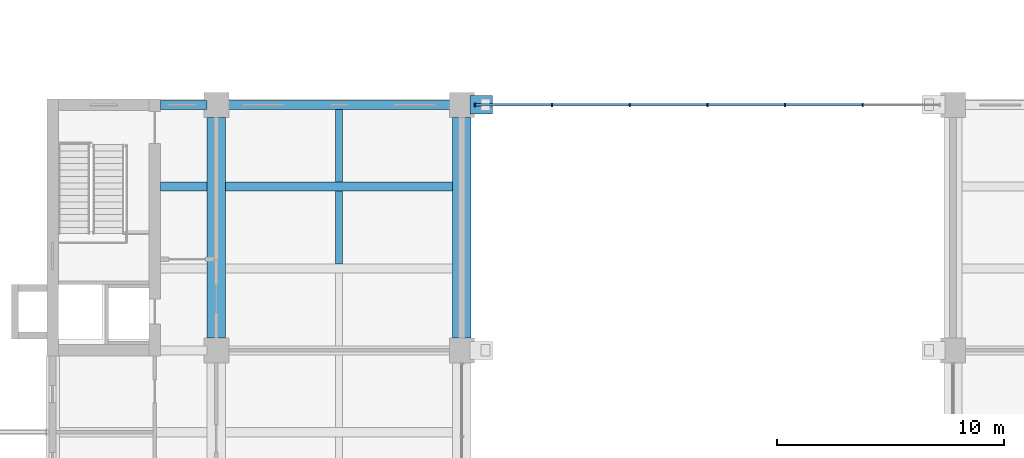
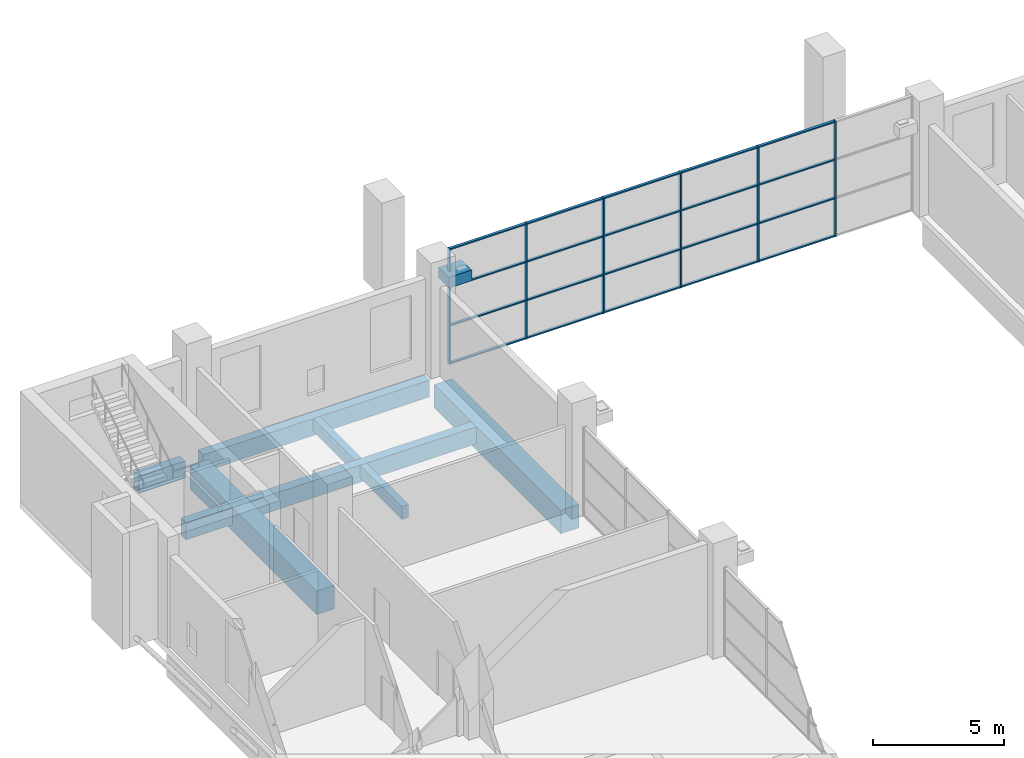
# One storey, part 11 of 38: 26 members, 9 beams, 1 element without a shape of its own.
"""IFC4 building model written with IfcOpenShell, lengths in metres."""

from ifc_helpers import new_model, si_unit, direction, frame, origin, origin_2d, place, context, subcontext, project, spatial, rectangle, extrude, material, layer, layer_set, material_profile, profile_set, type_object, element, aggregate, save


model = new_model("IFC4")

# Units and contexts
model_context = context("Model", 3, precision=1e-05, world=origin(), true_north=direction((0.0, 1.0)))
body_context = subcontext(model_context, "Body", "Model", "MODEL_VIEW")
ifc_project = project(units=[si_unit("LENGTHUNIT", "METRE"), si_unit("AREAUNIT", "SQUARE_METRE"), si_unit("VOLUMEUNIT", "CUBIC_METRE"), si_unit("PLANEANGLEUNIT", "RADIAN"), si_unit("MASSUNIT", "GRAM", prefix="KILO")], contexts=[model_context])

# Site, building, storey
site_placement = place(None, origin())
site = spatial("IfcSite", under=ifc_project, at=site_placement, CompositionType="ELEMENT")
building_placement = place(site_placement, origin())
building = spatial("IfcBuilding", under=site, at=building_placement, Name="Basin Gate Institute", CompositionType="ELEMENT")
storey_placement = place(building_placement, frame((0.0, 0.0, 16.800048828125)))
storey = spatial("IfcBuildingStorey", under=building, at=storey_placement, Name="L03", CompositionType="ELEMENT", Elevation=16.800048828125)

# Curtain wall, members
ifc_material_1 = material(Name="Aluminium and glass curtain wall", Category="aluminium")
ifc_layer = layer(ifc_material_1, 0.14990234375)
ifc_layer_set = layer_set([ifc_layer], Name="Atrium curtain wall CW81")
curtain_wall_type = type_object("IfcCurtainWallType", Name="Atrium curtain wall CW81", PredefinedType="NOTDEFINED", material=ifc_layer_set)
curtain_wall_placement = place(storey_placement, origin())
curtain_wall = element("IfcCurtainWall", 1, at=curtain_wall_placement, inside=storey, type_object=curtain_wall_type, material=ifc_layer_set, Name="Atrium end screen N L03", PredefinedType="NOTDEFINED")
ifc_material_2 = material(Name="Aluminium mullion", Category="aluminium")
ifc_material_profile_1 = material_profile(ifc_material_2, rectangle(XDim=0.159912109375, YDim=0.06005859375, at=origin_2d()), Name="Atrium mullion MU81 160 x 60")
ifc_profile_set_1 = profile_set([ifc_material_profile_1], Name="Aluminium mullion")
member_type_1 = type_object("IfcMemberType", Name="Atrium mullion MU81", PredefinedType="MULLION", material=ifc_profile_set_1)
member_1_placement = place(storey_placement, frame((79.780029296875, 99.89990234375, 0.0), z_axis=(0.0, 0.0, 1.0), x_axis=(0.0, 1.0, 0.0)))
member_1 = element("IfcMember", 2, at=member_1_placement, type_object=member_type_1, material=ifc_profile_set_1, Name="CW81 mullion 1", PredefinedType="MULLION", context=body_context, shape_type="SweptSolid", body=[
    extrude(rectangle(XDim=0.159912109375, YDim=0.06005859375, at=origin_2d()), origin(), (0.0, 0.0, 1.0), 5.39990234375),
])
member_2_placement = place(storey_placement, frame((83.166748046875, 99.89990234375, 0.0), z_axis=(0.0, 0.0, 1.0), x_axis=(0.0, 1.0, 0.0)))
member_2 = element("IfcMember", 3, at=member_2_placement, type_object=member_type_1, material=ifc_profile_set_1, Name="CW81 mullion 2", PredefinedType="MULLION", context=body_context, shape_type="SweptSolid", body=[
    extrude(rectangle(XDim=0.159912109375, YDim=0.06005859375, at=origin_2d()), origin(), (0.0, 0.0, 1.0), 5.39990234375),
])
member_3_placement = place(storey_placement, frame((86.583251953125, 99.89990234375, 0.0), z_axis=(0.0, 0.0, 1.0), x_axis=(0.0, 1.0, 0.0)))
member_3 = element("IfcMember", 4, at=member_3_placement, type_object=member_type_1, material=ifc_profile_set_1, Name="CW81 mullion 3", PredefinedType="MULLION", context=body_context, shape_type="SweptSolid", body=[
    extrude(rectangle(XDim=0.159912109375, YDim=0.06005859375, at=origin_2d()), origin(), (0.0, 0.0, 1.0), 5.39990234375),
])
member_4_placement = place(storey_placement, frame((90.0, 99.89990234375, 0.0), z_axis=(0.0, 0.0, 1.0), x_axis=(0.0, 1.0, 0.0)))
member_4 = element("IfcMember", 5, at=member_4_placement, type_object=member_type_1, material=ifc_profile_set_1, Name="CW81 mullion 4", PredefinedType="MULLION", context=body_context, shape_type="SweptSolid", body=[
    extrude(rectangle(XDim=0.159912109375, YDim=0.06005859375, at=origin_2d()), origin(), (0.0, 0.0, 1.0), 5.39990234375),
])
member_5_placement = place(storey_placement, frame((93.416748046875, 99.89990234375, 0.0), z_axis=(0.0, 0.0, 1.0), x_axis=(0.0, 1.0, 0.0)))
member_5 = element("IfcMember", 6, at=member_5_placement, type_object=member_type_1, material=ifc_profile_set_1, Name="CW81 mullion 5", PredefinedType="MULLION", context=body_context, shape_type="SweptSolid", body=[
    extrude(rectangle(XDim=0.159912109375, YDim=0.06005859375, at=origin_2d()), origin(), (0.0, 0.0, 1.0), 5.39990234375),
])
member_6_placement = place(storey_placement, frame((96.833251953125, 99.89990234375, 0.0), z_axis=(0.0, 0.0, 1.0), x_axis=(0.0, 1.0, 0.0)))
member_6 = element("IfcMember", 7, at=member_6_placement, type_object=member_type_1, material=ifc_profile_set_1, Name="CW81 mullion 6", PredefinedType="MULLION", context=body_context, shape_type="SweptSolid", body=[
    extrude(rectangle(XDim=0.159912109375, YDim=0.06005859375, at=origin_2d()), origin(), (0.0, 0.0, 1.0), 5.39990234375),
])
ifc_material_3 = material(Name="Aluminium transom", Category="aluminium")
ifc_material_profile_2 = material_profile(ifc_material_3, rectangle(XDim=0.1201171875, YDim=0.06005859375, at=origin_2d()), Name="Atrium transom TR81 120 x 60")
ifc_profile_set_2 = profile_set([ifc_material_profile_2], Name="Aluminium transom")
member_type_2 = type_object("IfcMemberType", Name="Atrium transom TR81", PredefinedType="USERDEFINED", material=ifc_profile_set_2)
member_7_placement = place(storey_placement, frame((79.81005859375, 99.89990234375, 0.030029296875), z_axis=(1.0, 0.0, 0.0), x_axis=(0.0, 1.0, 0.0)))
member_7 = element("IfcMember", 8, at=member_7_placement, type_object=member_type_2, material=ifc_profile_set_2, Name="CW81 transom 1.1", ObjectType="TRANSOM", PredefinedType="USERDEFINED", context=body_context, shape_type="SweptSolid", body=[
    extrude(rectangle(XDim=0.1201171875, YDim=0.06005859375, at=origin_2d()), origin(), (0.0, 0.0, 1.0), 3.32666015625),
])
member_8_placement = place(storey_placement, frame((79.81005859375, 99.89990234375, 1.800048828125), z_axis=(1.0, 0.0, 0.0), x_axis=(0.0, 1.0, 0.0)))
member_8 = element("IfcMember", 9, at=member_8_placement, type_object=member_type_2, material=ifc_profile_set_2, Name="CW81 transom 1.2", ObjectType="TRANSOM", PredefinedType="USERDEFINED", context=body_context, shape_type="SweptSolid", body=[
    extrude(rectangle(XDim=0.1201171875, YDim=0.06005859375, at=origin_2d()), origin(), (0.0, 0.0, 1.0), 3.32666015625),
])
member_9_placement = place(storey_placement, frame((79.81005859375, 99.89990234375, 3.599853515625), z_axis=(1.0, 0.0, 0.0), x_axis=(0.0, 1.0, 0.0)))
member_9 = element("IfcMember", 10, at=member_9_placement, type_object=member_type_2, material=ifc_profile_set_2, Name="CW81 transom 1.3", ObjectType="TRANSOM", PredefinedType="USERDEFINED", context=body_context, shape_type="SweptSolid", body=[
    extrude(rectangle(XDim=0.1201171875, YDim=0.06005859375, at=origin_2d()), origin(), (0.0, 0.0, 1.0), 3.32666015625),
])
member_10_placement = place(storey_placement, frame((79.81005859375, 99.89990234375, 5.369873046875), z_axis=(1.0, 0.0, 0.0), x_axis=(0.0, 1.0, 0.0)))
member_10 = element("IfcMember", 11, at=member_10_placement, type_object=member_type_2, material=ifc_profile_set_2, Name="CW81 transom 1.4", ObjectType="TRANSOM", PredefinedType="USERDEFINED", context=body_context, shape_type="SweptSolid", body=[
    extrude(rectangle(XDim=0.1201171875, YDim=0.06005859375, at=origin_2d()), origin(), (0.0, 0.0, 1.0), 3.32666015625),
])
member_11_placement = place(storey_placement, frame((83.19677734375, 99.89990234375, 0.030029296875), z_axis=(1.0, 0.0, 0.0), x_axis=(0.0, 1.0, 0.0)))
member_11 = element("IfcMember", 12, at=member_11_placement, type_object=member_type_2, material=ifc_profile_set_2, Name="CW81 transom 2.1", ObjectType="TRANSOM", PredefinedType="USERDEFINED", context=body_context, shape_type="SweptSolid", body=[
    extrude(rectangle(XDim=0.1201171875, YDim=0.06005859375, at=origin_2d()), origin(), (0.0, 0.0, 1.0), 3.3564453125),
])
member_12_placement = place(storey_placement, frame((83.19677734375, 99.89990234375, 1.800048828125), z_axis=(1.0, 0.0, 0.0), x_axis=(0.0, 1.0, 0.0)))
member_12 = element("IfcMember", 13, at=member_12_placement, type_object=member_type_2, material=ifc_profile_set_2, Name="CW81 transom 2.2", ObjectType="TRANSOM", PredefinedType="USERDEFINED", context=body_context, shape_type="SweptSolid", body=[
    extrude(rectangle(XDim=0.1201171875, YDim=0.06005859375, at=origin_2d()), origin(), (0.0, 0.0, 1.0), 3.3564453125),
])
member_13_placement = place(storey_placement, frame((83.19677734375, 99.89990234375, 3.599853515625), z_axis=(1.0, 0.0, 0.0), x_axis=(0.0, 1.0, 0.0)))
member_13 = element("IfcMember", 14, at=member_13_placement, type_object=member_type_2, material=ifc_profile_set_2, Name="CW81 transom 2.3", ObjectType="TRANSOM", PredefinedType="USERDEFINED", context=body_context, shape_type="SweptSolid", body=[
    extrude(rectangle(XDim=0.1201171875, YDim=0.06005859375, at=origin_2d()), origin(), (0.0, 0.0, 1.0), 3.3564453125),
])
member_14_placement = place(storey_placement, frame((83.19677734375, 99.89990234375, 5.369873046875), z_axis=(1.0, 0.0, 0.0), x_axis=(0.0, 1.0, 0.0)))
member_14 = element("IfcMember", 15, at=member_14_placement, type_object=member_type_2, material=ifc_profile_set_2, Name="CW81 transom 2.4", ObjectType="TRANSOM", PredefinedType="USERDEFINED", context=body_context, shape_type="SweptSolid", body=[
    extrude(rectangle(XDim=0.1201171875, YDim=0.06005859375, at=origin_2d()), origin(), (0.0, 0.0, 1.0), 3.3564453125),
])
member_15_placement = place(storey_placement, frame((86.61328125, 99.89990234375, 0.030029296875), z_axis=(1.0, 0.0, 0.0), x_axis=(0.0, 1.0, 0.0)))
member_15 = element("IfcMember", 16, at=member_15_placement, type_object=member_type_2, material=ifc_profile_set_2, Name="CW81 transom 3.1", ObjectType="TRANSOM", PredefinedType="USERDEFINED", context=body_context, shape_type="SweptSolid", body=[
    extrude(rectangle(XDim=0.1201171875, YDim=0.06005859375, at=origin_2d()), origin(), (0.0, 0.0, 1.0), 3.356689453125),
])
member_16_placement = place(storey_placement, frame((86.61328125, 99.89990234375, 1.800048828125), z_axis=(1.0, 0.0, 0.0), x_axis=(0.0, 1.0, 0.0)))
member_16 = element("IfcMember", 17, at=member_16_placement, type_object=member_type_2, material=ifc_profile_set_2, Name="CW81 transom 3.2", ObjectType="TRANSOM", PredefinedType="USERDEFINED", context=body_context, shape_type="SweptSolid", body=[
    extrude(rectangle(XDim=0.1201171875, YDim=0.06005859375, at=origin_2d()), origin(), (0.0, 0.0, 1.0), 3.356689453125),
])
member_17_placement = place(storey_placement, frame((86.61328125, 99.89990234375, 3.599853515625), z_axis=(1.0, 0.0, 0.0), x_axis=(0.0, 1.0, 0.0)))
member_17 = element("IfcMember", 18, at=member_17_placement, type_object=member_type_2, material=ifc_profile_set_2, Name="CW81 transom 3.3", ObjectType="TRANSOM", PredefinedType="USERDEFINED", context=body_context, shape_type="SweptSolid", body=[
    extrude(rectangle(XDim=0.1201171875, YDim=0.06005859375, at=origin_2d()), origin(), (0.0, 0.0, 1.0), 3.356689453125),
])
member_18_placement = place(storey_placement, frame((86.61328125, 99.89990234375, 5.369873046875), z_axis=(1.0, 0.0, 0.0), x_axis=(0.0, 1.0, 0.0)))
member_18 = element("IfcMember", 19, at=member_18_placement, type_object=member_type_2, material=ifc_profile_set_2, Name="CW81 transom 3.4", ObjectType="TRANSOM", PredefinedType="USERDEFINED", context=body_context, shape_type="SweptSolid", body=[
    extrude(rectangle(XDim=0.1201171875, YDim=0.06005859375, at=origin_2d()), origin(), (0.0, 0.0, 1.0), 3.356689453125),
])
member_19_placement = place(storey_placement, frame((90.030029296875, 99.89990234375, 0.030029296875), z_axis=(1.0, 0.0, 0.0), x_axis=(0.0, 1.0, 0.0)))
member_19 = element("IfcMember", 20, at=member_19_placement, type_object=member_type_2, material=ifc_profile_set_2, Name="CW81 transom 4.1", ObjectType="TRANSOM", PredefinedType="USERDEFINED", context=body_context, shape_type="SweptSolid", body=[
    extrude(rectangle(XDim=0.1201171875, YDim=0.06005859375, at=origin_2d()), origin(), (0.0, 0.0, 1.0), 3.356689453125),
])
member_20_placement = place(storey_placement, frame((90.030029296875, 99.89990234375, 1.800048828125), z_axis=(1.0, 0.0, 0.0), x_axis=(0.0, 1.0, 0.0)))
member_20 = element("IfcMember", 21, at=member_20_placement, type_object=member_type_2, material=ifc_profile_set_2, Name="CW81 transom 4.2", ObjectType="TRANSOM", PredefinedType="USERDEFINED", context=body_context, shape_type="SweptSolid", body=[
    extrude(rectangle(XDim=0.1201171875, YDim=0.06005859375, at=origin_2d()), origin(), (0.0, 0.0, 1.0), 3.356689453125),
])
member_21_placement = place(storey_placement, frame((90.030029296875, 99.89990234375, 3.599853515625), z_axis=(1.0, 0.0, 0.0), x_axis=(0.0, 1.0, 0.0)))
member_21 = element("IfcMember", 22, at=member_21_placement, type_object=member_type_2, material=ifc_profile_set_2, Name="CW81 transom 4.3", ObjectType="TRANSOM", PredefinedType="USERDEFINED", context=body_context, shape_type="SweptSolid", body=[
    extrude(rectangle(XDim=0.1201171875, YDim=0.06005859375, at=origin_2d()), origin(), (0.0, 0.0, 1.0), 3.356689453125),
])
member_22_placement = place(storey_placement, frame((90.030029296875, 99.89990234375, 5.369873046875), z_axis=(1.0, 0.0, 0.0), x_axis=(0.0, 1.0, 0.0)))
member_22 = element("IfcMember", 23, at=member_22_placement, type_object=member_type_2, material=ifc_profile_set_2, Name="CW81 transom 4.4", ObjectType="TRANSOM", PredefinedType="USERDEFINED", context=body_context, shape_type="SweptSolid", body=[
    extrude(rectangle(XDim=0.1201171875, YDim=0.06005859375, at=origin_2d()), origin(), (0.0, 0.0, 1.0), 3.356689453125),
])
member_23_placement = place(storey_placement, frame((93.44677734375, 99.89990234375, 0.030029296875), z_axis=(1.0, 0.0, 0.0), x_axis=(0.0, 1.0, 0.0)))
member_23 = element("IfcMember", 24, at=member_23_placement, type_object=member_type_2, material=ifc_profile_set_2, Name="CW81 transom 5.1", ObjectType="TRANSOM", PredefinedType="USERDEFINED", context=body_context, shape_type="SweptSolid", body=[
    extrude(rectangle(XDim=0.1201171875, YDim=0.06005859375, at=origin_2d()), origin(), (0.0, 0.0, 1.0), 3.3564453125),
])
member_24_placement = place(storey_placement, frame((93.44677734375, 99.89990234375, 1.800048828125), z_axis=(1.0, 0.0, 0.0), x_axis=(0.0, 1.0, 0.0)))
member_24 = element("IfcMember", 25, at=member_24_placement, type_object=member_type_2, material=ifc_profile_set_2, Name="CW81 transom 5.2", ObjectType="TRANSOM", PredefinedType="USERDEFINED", context=body_context, shape_type="SweptSolid", body=[
    extrude(rectangle(XDim=0.1201171875, YDim=0.06005859375, at=origin_2d()), origin(), (0.0, 0.0, 1.0), 3.3564453125),
])
member_25_placement = place(storey_placement, frame((93.44677734375, 99.89990234375, 3.599853515625), z_axis=(1.0, 0.0, 0.0), x_axis=(0.0, 1.0, 0.0)))
member_25 = element("IfcMember", 26, at=member_25_placement, type_object=member_type_2, material=ifc_profile_set_2, Name="CW81 transom 5.3", ObjectType="TRANSOM", PredefinedType="USERDEFINED", context=body_context, shape_type="SweptSolid", body=[
    extrude(rectangle(XDim=0.1201171875, YDim=0.06005859375, at=origin_2d()), origin(), (0.0, 0.0, 1.0), 3.3564453125),
])
member_26_placement = place(storey_placement, frame((93.44677734375, 99.89990234375, 5.369873046875), z_axis=(1.0, 0.0, 0.0), x_axis=(0.0, 1.0, 0.0)))
member_26 = element("IfcMember", 27, at=member_26_placement, type_object=member_type_2, material=ifc_profile_set_2, Name="CW81 transom 5.4", ObjectType="TRANSOM", PredefinedType="USERDEFINED", context=body_context, shape_type="SweptSolid", body=[
    extrude(rectangle(XDim=0.1201171875, YDim=0.06005859375, at=origin_2d()), origin(), (0.0, 0.0, 1.0), 3.3564453125),
])
aggregate(curtain_wall, [member_1, member_2, member_3, member_4, member_5, member_6, member_7, member_8, member_9, member_10, member_11, member_12, member_13, member_14, member_15, member_16, member_17, member_18, member_19, member_20, member_21, member_22, member_23, member_24, member_25, member_26])

# Beams
ifc_material_4 = material(Name="Concrete 40 MPa", Category="concrete")
ifc_material_profile_3 = material_profile(ifc_material_4, rectangle(XDim=0.39990234375, YDim=0.800048828125, at=origin_2d()), Name="Beam B2 400 x 800")
ifc_profile_set_3 = profile_set([ifc_material_profile_3], Name="Concrete 40 MPa")
beam_type_1 = type_object("IfcBeamType", Name="Beam B2 R180", PredefinedType="BEAM", material=ifc_profile_set_3)
beam_1_placement = place(storey_placement, frame((68.800048828125, 96.300048828125, -0.699951171875), z_axis=(1.0, 0.0, 0.0), x_axis=(0.0, 1.0, 0.0)))
element("IfcBeam", 28, at=beam_1_placement, inside=storey, type_object=beam_type_1, material=ifc_profile_set_3, Name="BEAM/L03/W/EW/18", PredefinedType="BEAM", context=body_context, shape_type="SweptSolid", body=[
    extrude(rectangle(XDim=0.39990234375, YDim=0.800048828125, at=origin_2d()), origin(), (0.0, 0.0, 1.0), 10.0),
])
beam_2_placement = place(storey_placement, frame((65.949951171875, 96.300048828125, -0.699951171875), z_axis=(1.0, 0.0, 0.0), x_axis=(0.0, 1.0, 0.0)))
element("IfcBeam", 29, at=beam_2_placement, inside=storey, type_object=beam_type_1, material=ifc_profile_set_3, Name="BEAM/L03/W/CORR/18", PredefinedType="BEAM", context=body_context, shape_type="SweptSolid", body=[
    extrude(rectangle(XDim=0.39990234375, YDim=0.800048828125, at=origin_2d()), origin(), (0.0, 0.0, 1.0), 2.050048828125),
])
beam_3_placement = place(storey_placement, frame((68.800048828125, 99.89990234375, -0.699951171875), z_axis=(1.0, 0.0, 0.0), x_axis=(0.0, 1.0, 0.0)))
element("IfcBeam", 30, at=beam_3_placement, inside=storey, type_object=beam_type_1, material=ifc_profile_set_3, Name="BEAM/L03/W/EW/19", PredefinedType="BEAM", context=body_context, shape_type="SweptSolid", body=[
    extrude(rectangle(XDim=0.39990234375, YDim=0.800048828125, at=origin_2d()), origin(), (0.0, 0.0, 1.0), 10.0),
])
beam_4_placement = place(storey_placement, frame((65.949951171875, 99.89990234375, -0.699951171875), z_axis=(1.0, 0.0, 0.0), x_axis=(0.0, 1.0, 0.0)))
element("IfcBeam", 31, at=beam_4_placement, inside=storey, type_object=beam_type_1, material=ifc_profile_set_3, Name="BEAM/L03/W/CORR/19", PredefinedType="BEAM", context=body_context, shape_type="SweptSolid", body=[
    extrude(rectangle(XDim=0.39990234375, YDim=0.800048828125, at=origin_2d()), origin(), (0.0, 0.0, 1.0), 2.050048828125),
])
ifc_material_5 = material(Name="Concrete 40 MPa", Category="concrete")
ifc_material_profile_4 = material_profile(ifc_material_5, rectangle(XDim=0.800048828125, YDim=0.5, at=origin_2d()), Name="Beam CB1 800 x 500")
ifc_profile_set_4 = profile_set([ifc_material_profile_4], Name="Concrete 40 MPa")
beam_type_2 = type_object("IfcBeamType", Name="Beam CB1 R180", PredefinedType="BEAM", material=ifc_profile_set_4)
beam_5_placement = place(storey_placement, frame((79.550048828125, 99.89990234375, 4.099853515625), z_axis=(1.0, 0.0, 0.0), x_axis=(0.0, 1.0, 0.0)))
element("IfcBeam", 32, at=beam_5_placement, inside=storey, type_object=beam_type_2, material=ifc_profile_set_4, Name="Atrium shell corbel R180 7W", PredefinedType="BEAM", context=body_context, shape_type="SweptSolid", body=[
    extrude(rectangle(XDim=0.800048828125, YDim=0.5, at=origin_2d()), origin(), (0.0, 0.0, 1.0), 1.0),
])
ifc_material_6 = material(Name="Concrete 50 MPa", Category="concrete")
ifc_material_profile_5 = material_profile(ifc_material_6, rectangle(XDim=0.800048828125, YDim=1.10009765625, at=origin_2d()), Name="Girder G2 800 x 1100")
ifc_profile_set_5 = profile_set([ifc_material_profile_5], Name="Concrete 50 MPa")
beam_type_3 = type_object("IfcBeamType", Name="Girder G2 R180", PredefinedType="BEAM", material=ifc_profile_set_5)
for number, where, z_axis, x_axis, name in (
    (33, (68.39990234375, 89.64990234375, -0.85009765625), (0.0, 1.0, 0.0), (-1.0, 0.0, 0.0), "GIR/L03/W5/6"),
    (34, (79.199951171875, 89.64990234375, -0.85009765625), (0.0, 1.0, 0.0), (-1.0, 0.0, 0.0), "GIR/L03/W6/6"),
):
    element("IfcBeam", number, at=place(storey_placement, frame(where, z_axis=z_axis, x_axis=x_axis)), inside=storey, type_object=beam_type_3, material=ifc_profile_set_5, Name=name, PredefinedType="BEAM", context=body_context, shape_type="SweptSolid", body=[
        extrude(rectangle(XDim=0.800048828125, YDim=1.10009765625, at=origin_2d()), origin(), (0.0, 0.0, 1.0), 9.7001953125),
    ])
ifc_material_7 = material(Name="Concrete 40 MPa", Category="concrete")
ifc_material_profile_6 = material_profile(ifc_material_7, rectangle(XDim=0.300048828125, YDim=0.60009765625, at=origin_2d()), Name="Rib R2 300 x 600")
ifc_profile_set_6 = profile_set([ifc_material_profile_6], Name="Concrete 40 MPa")
beam_type_4 = type_object("IfcBeamType", Name="Rib R2 R180", PredefinedType="JOIST", material=ifc_profile_set_6)
beam_6_placement = place(storey_placement, frame((73.800048828125, 92.89990234375, -0.60009765625), z_axis=(0.0, 1.0, 0.0), x_axis=(-1.0, 0.0, 0.0)))
element("IfcBeam", 35, at=beam_6_placement, inside=storey, type_object=beam_type_4, material=ifc_profile_set_6, Name="BEAM/L03/W/RIB/17", PredefinedType="JOIST", context=body_context, shape_type="SweptSolid", body=[
    extrude(rectangle(XDim=0.300048828125, YDim=0.60009765625, at=origin_2d()), origin(), (0.0, 0.0, 1.0), 3.2001953125),
])
beam_7_placement = place(storey_placement, frame((73.800048828125, 96.5, -0.60009765625), z_axis=(0.0, 1.0, 0.0), x_axis=(-1.0, 0.0, 0.0)))
element("IfcBeam", 36, at=beam_7_placement, inside=storey, type_object=beam_type_4, material=ifc_profile_set_6, Name="BEAM/L03/W/RIB/18", PredefinedType="JOIST", context=body_context, shape_type="SweptSolid", body=[
    extrude(rectangle(XDim=0.300048828125, YDim=0.60009765625, at=origin_2d()), origin(), (0.0, 0.0, 1.0), 3.199951171875),
])

save(model, "model.ifc")
